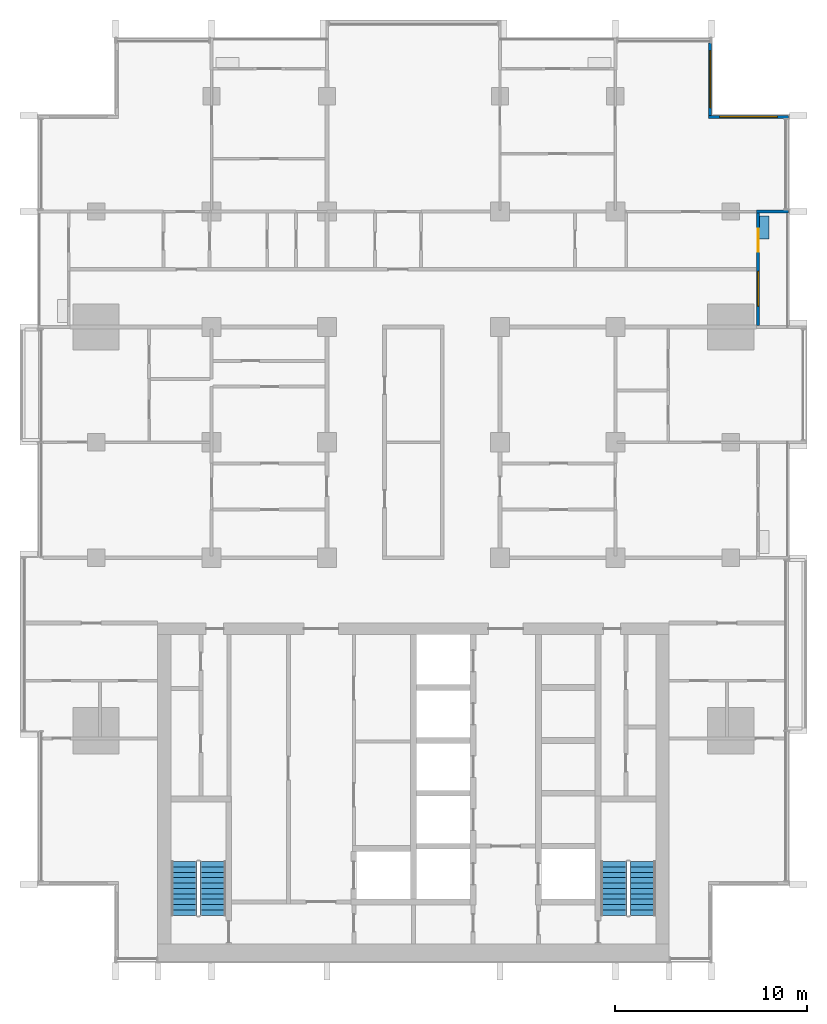
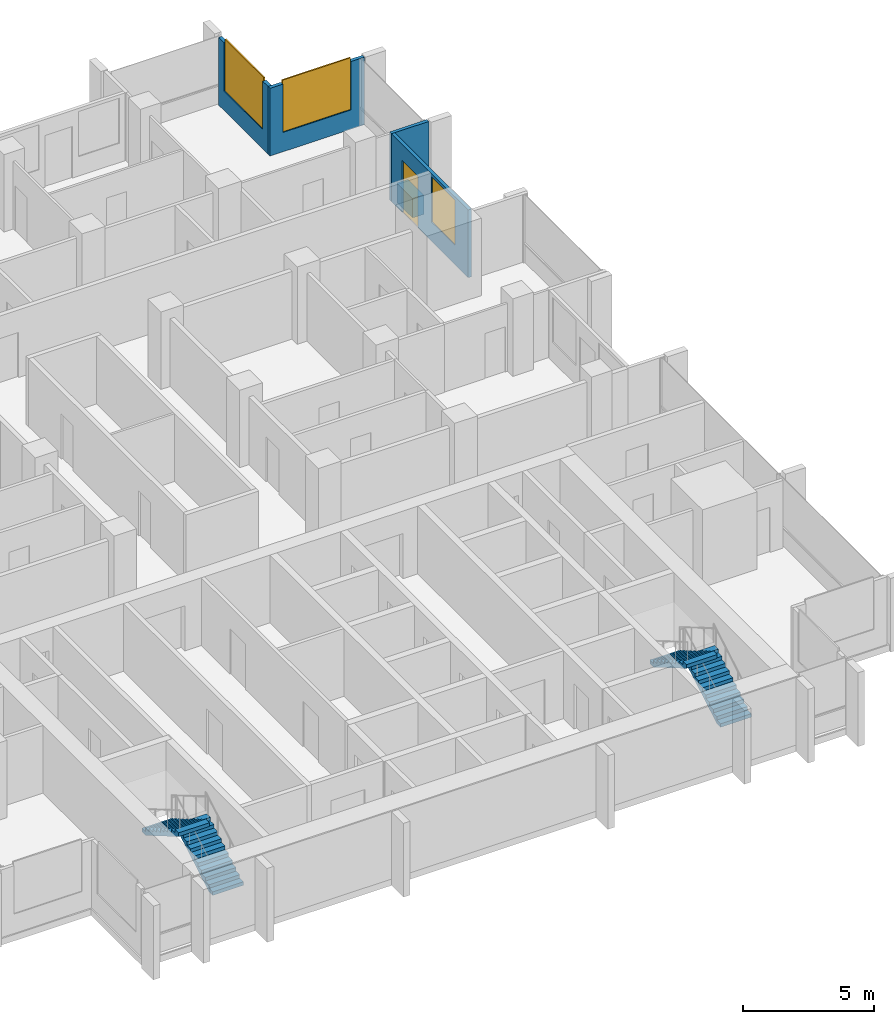
# One storey, part 12 of 17: 5 walls, 4 stair flights, 3 windows, 1 door, 4 openings, 2 elements without a shape of their own.
"""IFC4 building model written with IfcOpenShell, lengths in metres."""

from ifc_helpers import new_model, si_unit, direction, frame, frame_2d, origin, place, context, subcontext, project, spatial, polyline, rectangle, outline, extrude, material, layer, layer_set, type_object, element, fill, aggregate, save


model = new_model("IFC4")

# Units and contexts
model_context = context("Model", 3, precision=1e-05, world=origin(), true_north=direction((0.0, 1.0)))
body_context = subcontext(model_context, "Body", "Model", "MODEL_VIEW")
ifc_project = project(units=[si_unit("LENGTHUNIT", "METRE"), si_unit("AREAUNIT", "SQUARE_METRE"), si_unit("VOLUMEUNIT", "CUBIC_METRE"), si_unit("PLANEANGLEUNIT", "RADIAN"), si_unit("MASSUNIT", "GRAM", prefix="KILO")], contexts=[model_context])

# Site, building, storey
site_placement = place(None, origin())
site = spatial("IfcSite", under=ifc_project, at=site_placement, CompositionType="ELEMENT")
building_placement = place(site_placement, origin())
building = spatial("IfcBuilding", under=site, at=building_placement, Name="Finial Court Residences", CompositionType="ELEMENT")
storey_placement = place(building_placement, frame((0.0, 0.0, 196.10009765625)))
storey = spatial("IfcBuildingStorey", under=building, at=storey_placement, Name="L49", CompositionType="ELEMENT", Elevation=196.10009765625)

# Wall, opening, window
ifc_material_1 = material(Name="Natural limestone", Category="masonry")
ifc_layer_1 = layer(ifc_material_1, 0.14990234375)
ifc_layer_set_1 = layer_set([ifc_layer_1], Name="Limestone clad wall 150")
wall_type_1 = type_object("IfcWallType", Name="Limestone clad wall 150", PredefinedType="SOLIDWALL", material=ifc_layer_set_1)
wall_1_placement = place(storey_placement, frame((15.425048828125, 22.262451171875, 0.0), z_axis=(0.0, 0.0, 1.0), x_axis=(0.0, -1.0, 0.0)))
wall_1 = element("IfcWall", 1, at=wall_1_placement, inside=storey, type_object=wall_type_1, Name="E-L49-NWE19", PredefinedType="SOLIDWALL", context=body_context, shape_type="SweptSolid", body=[
    extrude(rectangle(XDim=3.762451171875, YDim=0.14990234375, at=frame_2d((1.88134765625, 0.0))), origin(), (0.0, 0.0, 1.0), 3.14990234375),
])
opening_1_placement = place(wall_1_placement, frame((0.401123046875, 0.0, 0.89990234375)))
opening_1 = element("IfcOpeningElement", 2, at=opening_1_placement, cuts=wall_1, Name="Opening WE49-07", PredefinedType="OPENING", context=body_context, shape_type="SweptSolid", body=[
    extrude(rectangle(XDim=2.9599609375, YDim=2.39990234375, at=frame_2d((1.47998046875, 1.199951171875))), frame((0.0, 0.0849609375, 0.0), z_axis=(0.0, -1.0, 0.0), x_axis=(1.0, 0.0, 0.0)), (0.0, 0.0, 1.0), 0.169921875),
])
ifc_material_2 = material(Name="Clear low-e glass", Category="glass")
window_type_1 = type_object("IfcWindowType", Name="Corner window 2960 x 2400", PartitioningType="SINGLE_PANEL", PredefinedType="WINDOW", material=ifc_material_2)
window_1_placement = place(opening_1_placement, origin())
window_1 = element("IfcWindow", 3, at=window_1_placement, inside=storey, type_object=window_type_1, Name="E-L49-NWE19-W1", OverallHeight=2.39990234375, OverallWidth=2.9599609375, PartitioningType="SINGLE_PANEL", PredefinedType="WINDOW", context=body_context, shape_type="SweptSolid", body=[
    extrude(rectangle(XDim=2.9599609375, YDim=2.39990234375, at=frame_2d((1.47998046875, 1.199951171875))), frame((0.0, 0.030029296875, 0.0), z_axis=(0.0, -1.0, 0.0), x_axis=(1.0, 0.0, 0.0)), (0.0, 0.0, 1.0), 0.06005859375),
])
fill(opening_1, window_1)

wall_2_placement = place(storey_placement, frame((15.35009765625, 18.425048828125, 0.0), z_axis=(0.0, 0.0, 1.0), x_axis=(1.0, 0.0, 0.0)))
wall_2 = element("IfcWall", 4, at=wall_2_placement, inside=storey, type_object=wall_type_1, Name="E-L49-NWN20", PredefinedType="SOLIDWALL", context=body_context, shape_type="SweptSolid", body=[
    extrude(rectangle(XDim=4.14990234375, YDim=0.14990234375, at=frame_2d((2.074951171875, 0.0))), origin(), (0.0, 0.0, 1.0), 3.14990234375),
])
opening_2_placement = place(wall_2_placement, frame((0.574951171875, 0.0, 0.89990234375)))
opening_2 = element("IfcOpeningElement", 5, at=opening_2_placement, cuts=wall_2, Name="Opening WE49-08", PredefinedType="OPENING", context=body_context, shape_type="SweptSolid", body=[
    extrude(rectangle(XDim=3.0, YDim=2.39990234375, at=frame_2d((1.5, 1.199951171875))), frame((0.0, 0.0849609375, 0.0), z_axis=(0.0, -1.0, 0.0), x_axis=(1.0, 0.0, 0.0)), (0.0, 0.0, 1.0), 0.169921875),
])
window_type_2 = type_object("IfcWindowType", Name="Corner window 3000 x 2400", PartitioningType="SINGLE_PANEL", PredefinedType="WINDOW", material=ifc_material_2)
window_2_placement = place(opening_2_placement, origin())
window_2 = element("IfcWindow", 6, at=window_2_placement, inside=storey, type_object=window_type_2, Name="E-L49-NWN20-W1", OverallHeight=2.39990234375, OverallWidth=3.0, PartitioningType="SINGLE_PANEL", PredefinedType="WINDOW", context=body_context, shape_type="SweptSolid", body=[
    extrude(rectangle(XDim=3.0, YDim=2.39990234375, at=frame_2d((1.5, 1.199951171875))), frame((0.0, 0.030029296875, 0.0), z_axis=(0.0, -1.0, 0.0), x_axis=(1.0, 0.0, 0.0)), (0.0, 0.0, 1.0), 0.06005859375),
])
fill(opening_2, window_2)

# Wall
wall_3_placement = place(storey_placement, frame((17.85009765625, 13.5, 0.0), z_axis=(0.0, 0.0, 1.0), x_axis=(1.0, 0.0, 0.0)))
element("IfcWall", 7, at=wall_3_placement, inside=storey, type_object=wall_type_1, Name="E-L49-BALE5-P2", PredefinedType="SOLIDWALL", context=body_context, shape_type="SweptSolid", body=[
    extrude(rectangle(XDim=1.64990234375, YDim=0.14990234375, at=frame_2d((0.824951171875, 0.0))), origin(), (0.0, 0.0, 1.0), 3.14990234375),
])

# Wall, openings, door, window
wall_4_placement = place(storey_placement, frame((17.925048828125, 13.425048828125, 0.0), z_axis=(0.0, 0.0, 1.0), x_axis=(0.0, -1.0, 0.0)))
wall_4 = element("IfcWall", 8, at=wall_4_placement, inside=storey, type_object=wall_type_1, Name="E-L49-L49-BALE5-W", PredefinedType="SOLIDWALL", context=body_context, shape_type="SweptSolid", body=[
    extrude(rectangle(XDim=5.85009765625, YDim=0.14990234375, at=frame_2d((2.925048828125, 0.0))), origin(), (0.0, 0.0, 1.0), 3.14990234375),
])
opening_3_placement = place(wall_4_placement, frame((0.824951171875, 0.0, 0.0)))
opening_3 = element("IfcOpeningElement", 9, at=opening_3_placement, cuts=wall_4, Name="Opening DE49-04", PredefinedType="OPENING", context=body_context, shape_type="SweptSolid", body=[
    extrude(rectangle(XDim=1.199951171875, YDim=2.39990234375, at=frame_2d((0.60009765625, 1.199951171875))), frame((0.0, 0.0849609375, 0.0), z_axis=(0.0, -1.0, 0.0), x_axis=(1.0, 0.0, 0.0)), (0.0, 0.0, 1.0), 0.169921875),
])
opening_4_placement = place(wall_4_placement, frame((3.03759765625, 0.0, 0.89990234375)))
opening_4 = element("IfcOpeningElement", 10, at=opening_4_placement, cuts=wall_4, Name="Opening WE49-15", PredefinedType="OPENING", context=body_context, shape_type="SweptSolid", body=[
    extrude(rectangle(XDim=1.800048828125, YDim=2.10009765625, at=frame_2d((0.89990234375, 1.050048828125))), frame((0.0, 0.0849609375, 0.0), z_axis=(0.0, -1.0, 0.0), x_axis=(1.0, 0.0, 0.0)), (0.0, 0.0, 1.0), 0.169921875),
])
ifc_material_3 = material(Name="Bronze anodised aluminium", Category="aluminium")
door_type = type_object("IfcDoorType", Name="Balcony door 1200 x 2400", OperationType="SINGLE_SWING_LEFT", PredefinedType="DOOR", material=ifc_material_3)
door_placement = place(opening_3_placement, origin())
door = element("IfcDoor", 11, at=door_placement, inside=storey, type_object=door_type, Name="E-L49-L49-BALE5-W-D", OperationType="SINGLE_SWING_LEFT", OverallHeight=2.39990234375, OverallWidth=1.199951171875, PredefinedType="DOOR", context=body_context, shape_type="SweptSolid", body=[
    extrude(rectangle(XDim=1.199951171875, YDim=2.39990234375, at=frame_2d((0.60009765625, 1.199951171875))), frame((0.0, 0.02490234375, 0.0), z_axis=(0.0, -1.0, 0.0), x_axis=(1.0, 0.0, 0.0)), (0.0, 0.0, 1.0), 0.050048828125),
])
fill(opening_3, door)
window_type_3 = type_object("IfcWindowType", Name="Balcony window 1800 x 2100", PartitioningType="SINGLE_PANEL", PredefinedType="WINDOW", material=ifc_material_2)
window_3_placement = place(opening_4_placement, origin())
window_3 = element("IfcWindow", 12, at=window_3_placement, inside=storey, type_object=window_type_3, Name="E-L49-L49-BALE5-W-W1", OverallHeight=2.10009765625, OverallWidth=1.800048828125, PartitioningType="SINGLE_PANEL", PredefinedType="WINDOW", context=body_context, shape_type="SweptSolid", body=[
    extrude(rectangle(XDim=1.800048828125, YDim=2.10009765625, at=frame_2d((0.89990234375, 1.050048828125))), frame((0.0, 0.030029296875, 0.0), z_axis=(0.0, -1.0, 0.0), x_axis=(1.0, 0.0, 0.0)), (0.0, 0.0, 1.0), 0.06005859375),
])
fill(opening_4, window_3)

# Wall
ifc_material_4 = material(Name="Concrete C40/50", Category="concrete")
ifc_layer_2 = layer(ifc_material_4, 0.10009765625)
ifc_material_5 = material(Name="Planting soil", Category="soil")
ifc_layer_3 = layer(ifc_material_5, 0.300048828125)
ifc_layer_4 = layer(ifc_material_4, 0.10009765625)
ifc_layer_set_2 = layer_set([ifc_layer_2, ifc_layer_3, ifc_layer_4], Name="Planter wall, balcony")
wall_type_2 = type_object("IfcWallType", Name="Planter wall, balcony", PredefinedType="USERDEFINED", material=ifc_layer_set_2)
wall_5_placement = place(storey_placement, frame((18.25, 12.074951171875, 0.0), z_axis=(0.0, 0.0, 1.0), x_axis=(0.0, 1.0, 0.0)))
element("IfcWall", 13, at=wall_5_placement, inside=storey, type_object=wall_type_2, Name="E-L49-BALE5-PL", ObjectType="PLANTER", PredefinedType="USERDEFINED", context=body_context, shape_type="SweptSolid", body=[
    extrude(rectangle(XDim=1.199951171875, YDim=0.5, at=frame_2d((0.60009765625, 0.0))), origin(), (0.0, 0.0, 1.0), 0.89990234375),
])

# Stair, stair flights
ifc_material_6 = material(Name="Concrete C50/60", Category="concrete")
stair_type = type_object("IfcStairType", Name="Exit stair 22 risers of 163.6 mm", PredefinedType="HALF_TURN_STAIR", material=ifc_material_6)
stair_1_placement = place(storey_placement, origin())
stair_1 = element("IfcStair", 14, at=stair_1_placement, inside=storey, type_object=stair_type, Name="L49 Exit stair ST-1", PredefinedType="HALF_TURN_STAIR")
stair_flight_type = type_object("IfcStairFlightType", Name="Exit stair flight", PredefinedType="STRAIGHT", material=ifc_material_6)
stair_flight_1_placement = place(storey_placement, frame((-10.425048828125, -23.10009765625, 0.0), z_axis=(0.0, 0.0, 1.0), x_axis=(0.0, 1.0, 0.0)))
stair_flight_1 = element("IfcStairFlight", 15, at=stair_flight_1_placement, type_object=stair_flight_type, Name="ST-1 flight 1", NumberOfRisers=11, NumberOfTreads=10, PredefinedType="STRAIGHT", RiserHeight=0.163636364, TreadLength=0.28, context=body_context, shape_type="SweptSolid", body=[
    extrude(outline(polyline([(0.0, 0.0), (0.0, 0.16357421875), (0.280029296875, 0.16357421875), (0.280029296875, 0.327392578125), (0.56005859375, 0.327392578125), (0.56005859375, 0.490966796875), (0.840087890625, 0.490966796875), (0.840087890625, 0.654541015625), (1.1201171875, 0.654541015625), (1.1201171875, 0.818115234375), (1.39990234375, 0.818115234375), (1.39990234375, 0.98193359375), (1.679931640625, 0.98193359375), (1.679931640625, 1.1455078125), (1.9599609375, 1.1455078125), (1.9599609375, 1.30908203125), (2.239990234375, 1.30908203125), (2.239990234375, 1.47265625), (2.52001953125, 1.47265625), (2.52001953125, 1.636474609375), (2.800048828125, 1.636474609375), (2.800048828125, 1.800048828125), (2.800048828125, 1.462646484375), (0.297119140625, 0.0), (0.0, 0.0)])), frame((0.0, 0.675048828125, 0.0), z_axis=(0.0, -1.0, 0.0), x_axis=(1.0, 0.0, 0.0)), (0.0, 0.0, 1.0), 1.35009765625),
])
stair_flight_2_placement = place(storey_placement, frame((-11.925048828125, -20.300048828125, 1.7998046875), z_axis=(0.0, 0.0, 1.0), x_axis=(0.0, -1.0, 0.0)))
stair_flight_2 = element("IfcStairFlight", 16, at=stair_flight_2_placement, type_object=stair_flight_type, Name="ST-1 flight 2", NumberOfRisers=11, NumberOfTreads=10, PredefinedType="STRAIGHT", RiserHeight=0.163636364, TreadLength=0.28, context=body_context, shape_type="SweptSolid", body=[
    extrude(outline(polyline([(0.0, 0.0), (0.0, 0.16357421875), (0.280029296875, 0.16357421875), (0.280029296875, 0.327392578125), (0.56005859375, 0.327392578125), (0.56005859375, 0.490966796875), (0.840087890625, 0.490966796875), (0.840087890625, 0.654541015625), (1.1201171875, 0.654541015625), (1.1201171875, 0.818115234375), (1.39990234375, 0.818115234375), (1.39990234375, 0.98193359375), (1.679931640625, 0.98193359375), (1.679931640625, 1.1455078125), (1.9599609375, 1.1455078125), (1.9599609375, 1.30908203125), (2.239990234375, 1.30908203125), (2.239990234375, 1.47265625), (2.52001953125, 1.47265625), (2.52001953125, 1.636474609375), (2.800048828125, 1.636474609375), (2.800048828125, 1.800048828125), (2.800048828125, 1.462646484375), (0.297119140625, 0.0), (0.0, 0.0)])), frame((0.0, 0.675048828125, 0.0), z_axis=(0.0, -1.0, 0.0), x_axis=(1.0, 0.0, 0.0)), (0.0, 0.0, 1.0), 1.35009765625),
])
aggregate(stair_1, [stair_flight_1, stair_flight_2])

stair_2_placement = place(storey_placement, origin())
stair_2 = element("IfcStair", 17, at=stair_2_placement, inside=storey, type_object=stair_type, Name="L49 Exit stair ST-2", PredefinedType="HALF_TURN_STAIR")
stair_flight_3_placement = place(storey_placement, frame((11.925048828125, -23.10009765625, 0.0), z_axis=(0.0, 0.0, 1.0), x_axis=(0.0, 1.0, 0.0)))
stair_flight_3 = element("IfcStairFlight", 18, at=stair_flight_3_placement, type_object=stair_flight_type, Name="ST-2 flight 1", NumberOfRisers=11, NumberOfTreads=10, PredefinedType="STRAIGHT", RiserHeight=0.163636364, TreadLength=0.28, context=body_context, shape_type="SweptSolid", body=[
    extrude(outline(polyline([(0.0, 0.0), (0.0, 0.16357421875), (0.280029296875, 0.16357421875), (0.280029296875, 0.327392578125), (0.56005859375, 0.327392578125), (0.56005859375, 0.490966796875), (0.840087890625, 0.490966796875), (0.840087890625, 0.654541015625), (1.1201171875, 0.654541015625), (1.1201171875, 0.818115234375), (1.39990234375, 0.818115234375), (1.39990234375, 0.98193359375), (1.679931640625, 0.98193359375), (1.679931640625, 1.1455078125), (1.9599609375, 1.1455078125), (1.9599609375, 1.30908203125), (2.239990234375, 1.30908203125), (2.239990234375, 1.47265625), (2.52001953125, 1.47265625), (2.52001953125, 1.636474609375), (2.800048828125, 1.636474609375), (2.800048828125, 1.800048828125), (2.800048828125, 1.462646484375), (0.297119140625, 0.0), (0.0, 0.0)])), frame((0.0, 0.675048828125, 0.0), z_axis=(0.0, -1.0, 0.0), x_axis=(1.0, 0.0, 0.0)), (0.0, 0.0, 1.0), 1.35009765625),
])
stair_flight_4_placement = place(storey_placement, frame((10.425048828125, -20.300048828125, 1.7998046875), z_axis=(0.0, 0.0, 1.0), x_axis=(0.0, -1.0, 0.0)))
stair_flight_4 = element("IfcStairFlight", 19, at=stair_flight_4_placement, type_object=stair_flight_type, Name="ST-2 flight 2", NumberOfRisers=11, NumberOfTreads=10, PredefinedType="STRAIGHT", RiserHeight=0.163636364, TreadLength=0.28, context=body_context, shape_type="SweptSolid", body=[
    extrude(outline(polyline([(0.0, 0.0), (0.0, 0.16357421875), (0.280029296875, 0.16357421875), (0.280029296875, 0.327392578125), (0.56005859375, 0.327392578125), (0.56005859375, 0.490966796875), (0.840087890625, 0.490966796875), (0.840087890625, 0.654541015625), (1.1201171875, 0.654541015625), (1.1201171875, 0.818115234375), (1.39990234375, 0.818115234375), (1.39990234375, 0.98193359375), (1.679931640625, 0.98193359375), (1.679931640625, 1.1455078125), (1.9599609375, 1.1455078125), (1.9599609375, 1.30908203125), (2.239990234375, 1.30908203125), (2.239990234375, 1.47265625), (2.52001953125, 1.47265625), (2.52001953125, 1.636474609375), (2.800048828125, 1.636474609375), (2.800048828125, 1.800048828125), (2.800048828125, 1.462646484375), (0.297119140625, 0.0), (0.0, 0.0)])), frame((0.0, 0.675048828125, 0.0), z_axis=(0.0, -1.0, 0.0), x_axis=(1.0, 0.0, 0.0)), (0.0, 0.0, 1.0), 1.35009765625),
])
aggregate(stair_2, [stair_flight_3, stair_flight_4])

save(model, "model.ifc")
